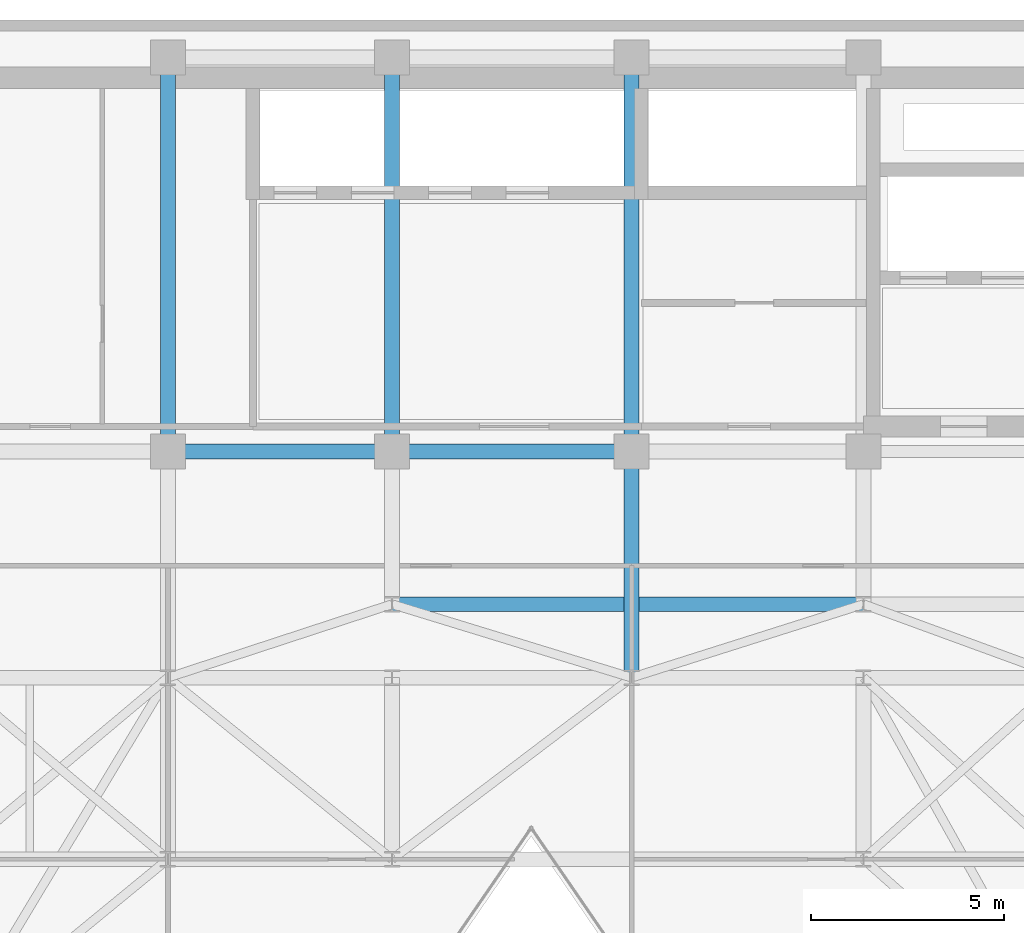
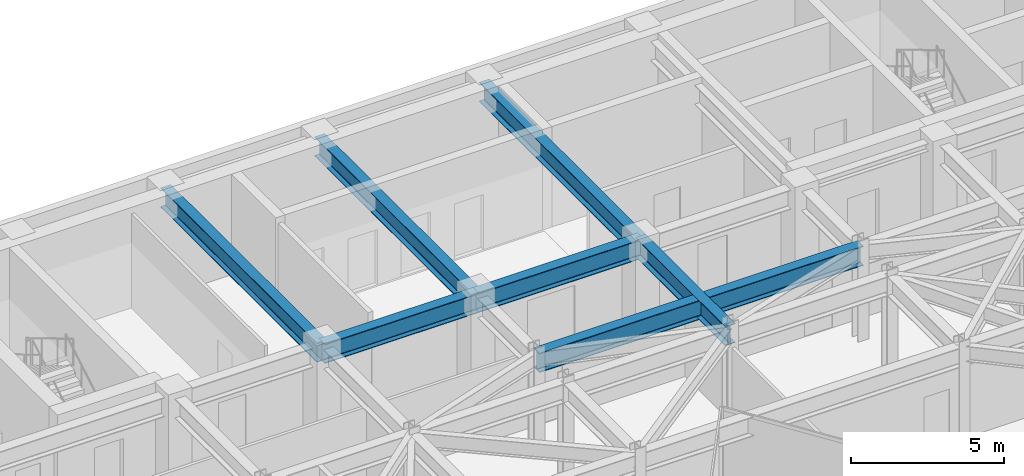
# One storey, part 15 of 26: 7 beams.
"""IFC4 building model written with IfcOpenShell, lengths in metres."""

from ifc_helpers import new_model, si_unit, direction, frame, origin, origin_2d, place, context, subcontext, project, spatial, i_section, extrude, material, material_profile, profile_set, type_object, element, save


model = new_model("IFC4")

# Units and contexts
model_context = context("Model", 3, precision=1e-05, world=origin(), true_north=direction((0.0, 1.0)))
body_context = subcontext(model_context, "Body", "Model", "MODEL_VIEW")
ifc_project = project(units=[si_unit("LENGTHUNIT", "METRE"), si_unit("AREAUNIT", "SQUARE_METRE"), si_unit("VOLUMEUNIT", "CUBIC_METRE"), si_unit("PLANEANGLEUNIT", "RADIAN"), si_unit("MASSUNIT", "GRAM", prefix="KILO")], contexts=[model_context])

# Site, building, storey
site_placement = place(None, origin())
site = spatial("IfcSite", under=ifc_project, at=site_placement, CompositionType="ELEMENT")
building_placement = place(site_placement, origin())
building = spatial("IfcBuilding", under=site, at=building_placement, Name="Kravanh Interchange Tower", CompositionType="ELEMENT")
storey_placement = place(building_placement, frame((0.0, 0.0, 204.5)))
storey = spatial("IfcBuildingStorey", under=building, at=storey_placement, Name="L49", CompositionType="ELEMENT", Elevation=204.5)

# Beams
ifc_material = material(Name="Structural Steel S355", Category="steel")
ifc_material_profile = material_profile(ifc_material, i_section(OverallWidth=0.381103515625, OverallDepth=0.77294921875, WebThickness=0.0166015625, FlangeThickness=0.027099609375, FilletRadius=0.02490234375, at=origin_2d()), Name="W30X173")
ifc_profile_set = profile_set([ifc_material_profile], Name="Structural Steel S355")
beam_type = type_object("IfcBeamType", Name="Floor Beam W30X173 Structural Steel S355", PredefinedType="BEAM", material=ifc_profile_set)
beam_1_placement = place(storey_placement, frame((44.800048828125, 37.35009765625, 3.368408203125), z_axis=(0.0, -1.0, 0.0), x_axis=(1.0, 0.0, 0.0)))
element("IfcBeam", 1, at=beam_1_placement, inside=storey, type_object=beam_type, Name="L49 Primary Floor Girder 12", PredefinedType="BEAM", context=body_context, shape_type="SweptSolid", body=[
    extrude(i_section(OverallWidth=0.381103515625, OverallDepth=0.77294921875, WebThickness=0.0166015625, FlangeThickness=0.027099609375, FilletRadius=0.02490234375, at=origin_2d()), origin(), (0.0, 0.0, 1.0), 5.85009765625),
])
beam_2_placement = place(storey_placement, frame((44.800048828125, 37.35009765625, 3.368408203125), z_axis=(-1.0, 0.0, 0.0), x_axis=(0.0, -1.0, 0.0)))
element("IfcBeam", 2, at=beam_2_placement, inside=storey, type_object=beam_type, Name="L49 Primary Floor Girder 13", PredefinedType="BEAM", context=body_context, shape_type="SweptSolid", body=[
    extrude(i_section(OverallWidth=0.381103515625, OverallDepth=0.77294921875, WebThickness=0.0166015625, FlangeThickness=0.027099609375, FilletRadius=0.02490234375, at=origin_2d()), origin(), (0.0, 0.0, 1.0), 6.199951171875),
])
beam_3_placement = place(storey_placement, frame((44.800048828125, 37.35009765625, 3.368408203125), z_axis=(0.0, 1.0, 0.0), x_axis=(-1.0, 0.0, 0.0)))
element("IfcBeam", 3, at=beam_3_placement, inside=storey, type_object=beam_type, Name="L49 Primary Floor Girder 14", PredefinedType="BEAM", context=body_context, shape_type="SweptSolid", body=[
    extrude(i_section(OverallWidth=0.381103515625, OverallDepth=0.77294921875, WebThickness=0.0166015625, FlangeThickness=0.027099609375, FilletRadius=0.02490234375, at=origin_2d()), origin(), (0.0, 0.0, 1.0), 10.199951171875),
])
beam_4_placement = place(storey_placement, frame((38.60009765625, 37.35009765625, 3.368408203125), z_axis=(-1.0, 0.0, 0.0), x_axis=(0.0, -1.0, 0.0)))
element("IfcBeam", 4, at=beam_4_placement, inside=storey, type_object=beam_type, Name="L49 Primary Floor Girder 17", PredefinedType="BEAM", context=body_context, shape_type="SweptSolid", body=[
    extrude(i_section(OverallWidth=0.381103515625, OverallDepth=0.77294921875, WebThickness=0.0166015625, FlangeThickness=0.027099609375, FilletRadius=0.02490234375, at=origin_2d()), origin(), (0.0, 0.0, 1.0), 5.800048828125),
])
for number, where, z_axis, x_axis, name in (
    (5, (38.60009765625, 37.35009765625, 3.368408203125), (0.0, 1.0, 0.0), (-1.0, 0.0, 0.0), "L49 Primary Floor Girder 18"),
    (6, (32.800048828125, 37.35009765625, 3.368408203125), (0.0, 1.0, 0.0), (-1.0, 0.0, 0.0), "L49 Primary Floor Girder 22"),
):
    element("IfcBeam", number, at=place(storey_placement, frame(where, z_axis=z_axis, x_axis=x_axis)), inside=storey, type_object=beam_type, Name=name, PredefinedType="BEAM", context=body_context, shape_type="SweptSolid", body=[
        extrude(i_section(OverallWidth=0.381103515625, OverallDepth=0.77294921875, WebThickness=0.0166015625, FlangeThickness=0.027099609375, FilletRadius=0.02490234375, at=origin_2d()), origin(), (0.0, 0.0, 1.0), 10.199951171875),
    ])
beam_5_placement = place(storey_placement, frame((38.60009765625, 33.39990234375, 3.368408203125), z_axis=(1.0, 0.0, 0.0), x_axis=(0.0, 1.0, 0.0)))
element("IfcBeam", 7, at=beam_5_placement, inside=storey, type_object=beam_type, Name="L49 Primary Floor Girder 94", PredefinedType="BEAM", context=body_context, shape_type="SweptSolid", body=[
    extrude(i_section(OverallWidth=0.381103515625, OverallDepth=0.77294921875, WebThickness=0.0166015625, FlangeThickness=0.027099609375, FilletRadius=0.02490234375, at=origin_2d()), origin(), (0.0, 0.0, 1.0), 12.199951171875),
])

save(model, "model.ifc")
